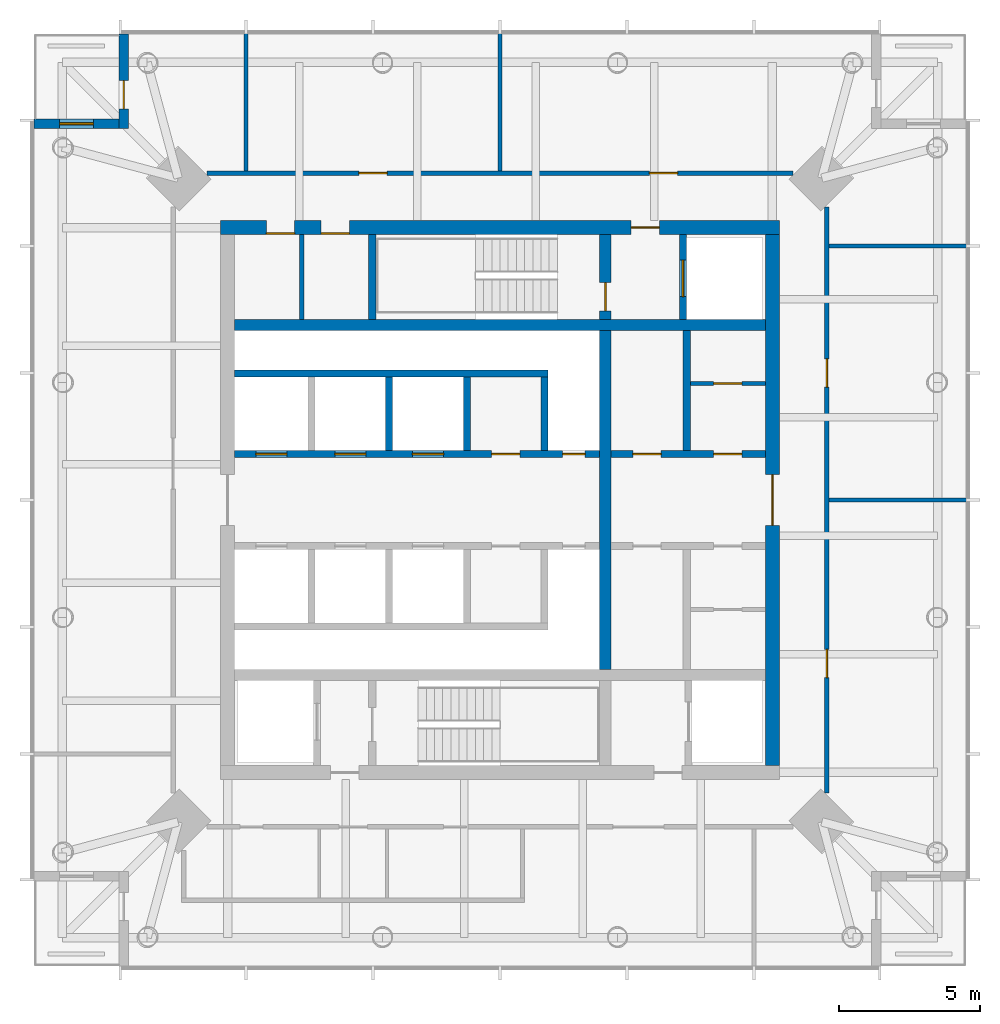
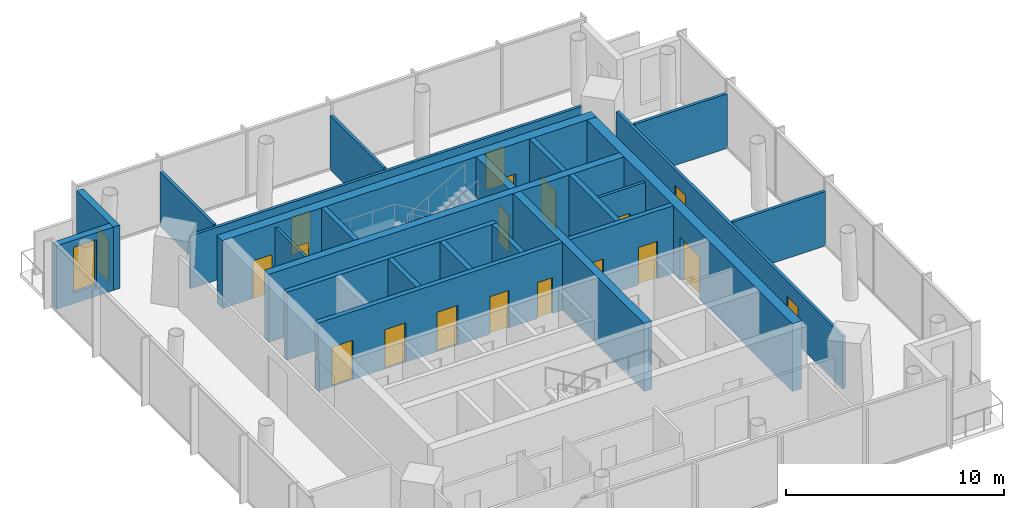
# One storey, part 5 of 7: 24 walls, 19 doors, 1 window, 20 openings.
"""IFC4 building model written with IfcOpenShell, lengths in metres."""

from ifc_helpers import new_model, si_unit, direction, frame, frame_2d, origin, place, context, subcontext, project, spatial, rectangle, extrude, material, layer, layer_set, type_object, element, fill, save


model = new_model("IFC4")

# Units and contexts
model_context = context("Model", 3, precision=1e-05, world=origin(), true_north=direction((0.0, 1.0)))
body_context = subcontext(model_context, "Body", "Model", "MODEL_VIEW")
ifc_project = project(units=[si_unit("LENGTHUNIT", "METRE"), si_unit("AREAUNIT", "SQUARE_METRE"), si_unit("VOLUMEUNIT", "CUBIC_METRE"), si_unit("PLANEANGLEUNIT", "RADIAN"), si_unit("MASSUNIT", "GRAM", prefix="KILO")], contexts=[model_context])

# Site, building, storey
site_placement = place(None, origin())
site = spatial("IfcSite", under=ifc_project, at=site_placement, CompositionType="ELEMENT")
building_placement = place(site_placement, origin())
building = spatial("IfcBuilding", under=site, at=building_placement, Name="Ostroluk Exchange", CompositionType="ELEMENT")
storey_placement = place(building_placement, frame((0.0, 0.0, 287.0)))
storey = spatial("IfcBuildingStorey", under=building, at=storey_placement, Name="L74", CompositionType="ELEMENT", Elevation=287.0)

# Wall
ifc_material_1 = material(Name="Concrete blockwork", Category="masonry")
ifc_layer_1 = layer(ifc_material_1, 0.14990234375)
ifc_layer_set_1 = layer_set([ifc_layer_1], Name="Blockwork plant room wall 150")
wall_type_1 = type_object("IfcWallType", Name="Blockwork plant room wall 150", PredefinedType="SOLIDWALL", material=ifc_layer_set_1)
wall_1_placement = place(storey_placement, frame((37.97509765625, 52.39990234375, 0.0), z_axis=(0.0, 0.0, 1.0), x_axis=(0.0, 1.0, 0.0)))
element("IfcWall", 1, at=wall_1_placement, inside=storey, type_object=wall_type_1, Name="Core room wall", PredefinedType="SOLIDWALL", context=body_context, shape_type="SweptSolid", body=[
    extrude(rectangle(XDim=3.0, YDim=0.14990234375, at=frame_2d((1.5, 0.0))), origin(), (0.0, 0.0, 1.0), 3.550048828125),
])

# Wall, opening, door
wall_2_placement = place(storey_placement, frame((51.739990234375, 50.1298828125, 0.0), z_axis=(0.0, 0.0, 1.0), x_axis=(1.0, 0.0, 0.0)))
wall_2 = element("IfcWall", 2, at=wall_2_placement, inside=storey, type_object=wall_type_1, Name="Core room wall", PredefinedType="SOLIDWALL", context=body_context, shape_type="SweptSolid", body=[
    extrude(rectangle(XDim=2.659912109375, YDim=0.14990234375, at=frame_2d((1.330078125, 0.0))), origin(), (0.0, 0.0, 1.0), 3.550048828125),
])
opening_1_placement = place(wall_2_placement, frame((0.830078125, 0.0, 0.0)))
opening_1 = element("IfcOpeningElement", 3, at=opening_1_placement, cuts=wall_2, Name="Opening FD60", PredefinedType="OPENING", context=body_context, shape_type="SweptSolid", body=[
    extrude(rectangle(XDim=1.0, YDim=2.10009765625, at=frame_2d((0.5, 1.050048828125))), frame((0.0, 0.0849609375, 0.0), z_axis=(0.0, -1.0, 0.0), x_axis=(1.0, 0.0, 0.0)), (0.0, 0.0, 1.0), 0.169921875),
])
ifc_material_2 = material(Name="Steel", Category="steel")
door_type_1 = type_object("IfcDoorType", Name="Fire door EI 60 1000 x 2100", OperationType="SINGLE_SWING_LEFT", PredefinedType="DOOR", material=ifc_material_2)
door_1_placement = place(opening_1_placement, origin())
door_1 = element("IfcDoor", 4, at=door_1_placement, inside=storey, type_object=door_type_1, Name="Store door", OperationType="SINGLE_SWING_RIGHT", OverallHeight=2.10009765625, OverallWidth=1.0, PredefinedType="DOOR", context=body_context, shape_type="SweptSolid", body=[
    extrude(rectangle(XDim=1.0, YDim=2.10009765625, at=frame_2d((0.5, 1.050048828125))), frame((0.0, 0.02490234375, 0.0), z_axis=(0.0, -1.0, 0.0), x_axis=(1.0, 0.0, 0.0)), (0.0, 0.0, 1.0), 0.050048828125),
])
fill(opening_1, door_1)

# Walls
ifc_material_3 = material(Name="Concrete C50/60", Category="concrete")
ifc_layer_2 = layer(ifc_material_3, 0.39990234375)
ifc_layer_set_2 = layer_set([ifc_layer_2], Name="Core cross wall 400 C50/60")
wall_type_2 = type_object("IfcWallType", Name="Core cross wall 400 C50/60", PredefinedType="SHEAR", material=ifc_layer_set_2)
wall_3_placement = place(storey_placement, frame((35.60009765625, 52.199951171875, 0.0), z_axis=(0.0, 0.0, 1.0), x_axis=(1.0, 0.0, 0.0)))
element("IfcWall", 5, at=wall_3_placement, inside=storey, type_object=wall_type_2, Name="T1 core wall XN", PredefinedType="SHEAR", context=body_context, shape_type="SweptSolid", body=[
    extrude(rectangle(XDim=18.7998046875, YDim=0.39990234375, at=frame_2d((9.39990234375, 0.0))), origin(), (0.0, 0.0, 1.0), 3.800048828125),
])
wall_4_placement = place(storey_placement, frame((48.72998046875, 40.0, 0.0), z_axis=(0.0, 0.0, 1.0), x_axis=(0.0, 1.0, 0.0)))
element("IfcWall", 6, at=wall_4_placement, inside=storey, type_object=wall_type_2, Name="T1 core wall YE2", PredefinedType="SHEAR", context=body_context, shape_type="SweptSolid", body=[
    extrude(rectangle(XDim=12.0, YDim=0.39990234375, at=frame_2d((6.0, 0.0))), origin(), (0.0, 0.0, 1.0), 3.800048828125),
])

# Wall, opening, door
wall_5_placement = place(storey_placement, frame((48.72998046875, 52.39990234375, 0.0), z_axis=(0.0, 0.0, 1.0), x_axis=(0.0, 1.0, 0.0)))
wall_5 = element("IfcWall", 7, at=wall_5_placement, inside=storey, type_object=wall_type_2, Name="T1 core wall YE3", PredefinedType="SHEAR", context=body_context, shape_type="SweptSolid", body=[
    extrude(rectangle(XDim=3.0, YDim=0.39990234375, at=frame_2d((1.5, 0.0))), origin(), (0.0, 0.0, 1.0), 3.800048828125),
])
opening_2_placement = place(wall_5_placement, frame((0.300048828125, 0.0, 0.0)))
opening_2 = element("IfcOpeningElement", 8, at=opening_2_placement, cuts=wall_5, Name="Opening FD60", PredefinedType="OPENING", context=body_context, shape_type="SweptSolid", body=[
    extrude(rectangle(XDim=1.0, YDim=2.10009765625, at=frame_2d((0.5, 1.050048828125))), frame((0.0, 0.2099609375, 0.0), z_axis=(0.0, -1.0, 0.0), x_axis=(1.0, 0.0, 0.0)), (0.0, 0.0, 1.0), 0.419921875),
])
door_2_placement = place(opening_2_placement, origin())
door_2 = element("IfcDoor", 9, at=door_2_placement, inside=storey, type_object=door_type_1, Name="Stair T1-S2 door", OperationType="SINGLE_SWING_LEFT", OverallHeight=2.10009765625, OverallWidth=1.0, PredefinedType="DOOR", context=body_context, shape_type="SweptSolid", body=[
    extrude(rectangle(XDim=1.0, YDim=2.10009765625, at=frame_2d((0.5, 1.050048828125))), frame((0.0, 0.02490234375, 0.0), z_axis=(0.0, -1.0, 0.0), x_axis=(1.0, 0.0, 0.0)), (0.0, 0.0, 1.0), 0.050048828125),
])
fill(opening_2, door_2)

# Wall
ifc_material_4 = material(Name="Concrete C40/50", Category="concrete")
ifc_layer_3 = layer(ifc_material_4, 0.25)
ifc_layer_set_3 = layer_set([ifc_layer_3], Name="Core shaft wall 250")
wall_type_3 = type_object("IfcWallType", Name="Core shaft wall 250", PredefinedType="SHEAR", material=ifc_layer_set_3)
wall_6_placement = place(storey_placement, frame((40.47509765625, 52.39990234375, 0.0), z_axis=(0.0, 0.0, 1.0), x_axis=(0.0, 1.0, 0.0)))
element("IfcWall", 10, at=wall_6_placement, inside=storey, type_object=wall_type_3, Name="Stair shaft wall", PredefinedType="SHEAR", context=body_context, shape_type="SweptSolid", body=[
    extrude(rectangle(XDim=3.0, YDim=0.25, at=frame_2d((1.5, 0.0))), origin(), (0.0, 0.0, 1.0), 3.800048828125),
])

# Wall, opening, door
wall_7_placement = place(storey_placement, frame((51.47509765625, 52.39990234375, 0.0), z_axis=(0.0, 0.0, 1.0), x_axis=(0.0, 1.0, 0.0)))
wall_7 = element("IfcWall", 11, at=wall_7_placement, inside=storey, type_object=wall_type_3, Name="Firefighting lift shaft wall", PredefinedType="SHEAR", context=body_context, shape_type="SweptSolid", body=[
    extrude(rectangle(XDim=3.0, YDim=0.25, at=frame_2d((1.5, 0.0))), origin(), (0.0, 0.0, 1.0), 3.800048828125),
])
opening_3_placement = place(wall_7_placement, frame((0.800048828125, 0.0, 0.0)))
opening_3 = element("IfcOpeningElement", 12, at=opening_3_placement, cuts=wall_7, Name="Opening LD2", PredefinedType="OPENING", context=body_context, shape_type="SweptSolid", body=[
    extrude(rectangle(XDim=1.300048828125, YDim=2.199951171875, at=frame_2d((0.64990234375, 1.10009765625))), frame((0.0, 0.135009765625, 0.0), z_axis=(0.0, -1.0, 0.0), x_axis=(1.0, 0.0, 0.0)), (0.0, 0.0, 1.0), 0.27001953125),
])
ifc_material_5 = material(Name="Stainless steel", Category="steel")
door_type_2 = type_object("IfcDoorType", Name="Lift landing door E 60 1300 x 2200", OperationType="DOUBLE_DOOR_SLIDING", PredefinedType="DOOR", material=ifc_material_5)
door_3_placement = place(opening_3_placement, origin())
door_3 = element("IfcDoor", 13, at=door_3_placement, inside=storey, type_object=door_type_2, Name="Lift FL2 landing door", OperationType="DOUBLE_DOOR_SLIDING", OverallHeight=2.199951171875, OverallWidth=1.300048828125, PredefinedType="DOOR", context=body_context, shape_type="SweptSolid", body=[
    extrude(rectangle(XDim=1.300048828125, YDim=2.199951171875, at=frame_2d((0.64990234375, 1.10009765625))), frame((0.0, 0.02490234375, 0.0), z_axis=(0.0, -1.0, 0.0), x_axis=(1.0, 0.0, 0.0)), (0.0, 0.0, 1.0), 0.050048828125),
])
fill(opening_3, door_3)

# Walls
for number, where, z_axis, x_axis, name in (
    (14, (41.074951171875, 47.75, 0.0), (0.0, 0.0, 1.0), (0.0, 1.0, 0.0), "Lift shaft wall"),
    (15, (43.824951171875, 47.75, 0.0), (0.0, 0.0, 1.0), (0.0, 1.0, 0.0), "Lift shaft wall"),
    (16, (46.574951171875, 47.75, 0.0), (0.0, 0.0, 1.0), (0.0, 1.0, 0.0), "Lift shaft wall"),
):
    element("IfcWall", number, at=place(storey_placement, frame(where, z_axis=z_axis, x_axis=x_axis)), inside=storey, type_object=wall_type_3, Name=name, PredefinedType="SHEAR", context=body_context, shape_type="SweptSolid", body=[
        extrude(rectangle(XDim=2.60009765625, YDim=0.25, at=frame_2d((1.300048828125, 0.0))), origin(), (0.0, 0.0, 1.0), 3.800048828125),
    ])
wall_8_placement = place(storey_placement, frame((35.60009765625, 50.47509765625, 0.0), z_axis=(0.0, 0.0, 1.0), x_axis=(1.0, 0.0, 0.0)))
element("IfcWall", 17, at=wall_8_placement, inside=storey, type_object=wall_type_3, Name="Lift shaft wall", PredefinedType="SHEAR", context=body_context, shape_type="SweptSolid", body=[
    extrude(rectangle(XDim=11.099853515625, YDim=0.25, at=frame_2d((5.5498046875, 0.0))), origin(), (0.0, 0.0, 1.0), 3.800048828125),
])

# Wall, openings, doors
wall_9_placement = place(storey_placement, frame((35.60009765625, 47.625, 0.0), z_axis=(0.0, 0.0, 1.0), x_axis=(1.0, 0.0, 0.0)))
wall_9 = element("IfcWall", 18, at=wall_9_placement, inside=storey, type_object=wall_type_3, Name="Lift shaft front wall", PredefinedType="SHEAR", context=body_context, shape_type="SweptSolid", body=[
    extrude(rectangle(XDim=12.929931640625, YDim=0.25, at=frame_2d((6.46484375, 0.0))), origin(), (0.0, 0.0, 1.0), 3.800048828125),
])
opening_4_placement = place(wall_9_placement, frame((0.75, 0.0, 0.0)))
opening_4 = element("IfcOpeningElement", 19, at=opening_4_placement, cuts=wall_9, Name="Opening LD", PredefinedType="OPENING", context=body_context, shape_type="SweptSolid", body=[
    extrude(rectangle(XDim=1.10009765625, YDim=2.199951171875, at=frame_2d((0.550048828125, 1.10009765625))), frame((0.0, 0.135009765625, 0.0), z_axis=(0.0, -1.0, 0.0), x_axis=(1.0, 0.0, 0.0)), (0.0, 0.0, 1.0), 0.27001953125),
])
opening_5_placement = place(wall_9_placement, frame((3.550048828125, 0.0, 0.0)))
opening_5 = element("IfcOpeningElement", 20, at=opening_5_placement, cuts=wall_9, Name="Opening LD", PredefinedType="OPENING", context=body_context, shape_type="SweptSolid", body=[
    extrude(rectangle(XDim=1.10009765625, YDim=2.199951171875, at=frame_2d((0.550048828125, 1.10009765625))), frame((0.0, 0.135009765625, 0.0), z_axis=(0.0, -1.0, 0.0), x_axis=(1.0, 0.0, 0.0)), (0.0, 0.0, 1.0), 0.27001953125),
])
opening_6_placement = place(wall_9_placement, frame((6.300048828125, 0.0, 0.0)))
opening_6 = element("IfcOpeningElement", 21, at=opening_6_placement, cuts=wall_9, Name="Opening LD", PredefinedType="OPENING", context=body_context, shape_type="SweptSolid", body=[
    extrude(rectangle(XDim=1.10009765625, YDim=2.199951171875, at=frame_2d((0.550048828125, 1.10009765625))), frame((0.0, 0.135009765625, 0.0), z_axis=(0.0, -1.0, 0.0), x_axis=(1.0, 0.0, 0.0)), (0.0, 0.0, 1.0), 0.27001953125),
])
opening_7_placement = place(wall_9_placement, frame((9.10009765625, 0.0, 0.0)))
opening_7 = element("IfcOpeningElement", 22, at=opening_7_placement, cuts=wall_9, Name="Opening FD60", PredefinedType="OPENING", context=body_context, shape_type="SweptSolid", body=[
    extrude(rectangle(XDim=1.0, YDim=2.10009765625, at=frame_2d((0.5, 1.050048828125))), frame((0.0, 0.135009765625, 0.0), z_axis=(0.0, -1.0, 0.0), x_axis=(1.0, 0.0, 0.0)), (0.0, 0.0, 1.0), 0.27001953125),
])
opening_8_placement = place(wall_9_placement, frame((11.614990234375, 0.0, 0.0)))
opening_8 = element("IfcOpeningElement", 23, at=opening_8_placement, cuts=wall_9, Name="Opening RD60", PredefinedType="OPENING", context=body_context, shape_type="SweptSolid", body=[
    extrude(rectangle(XDim=0.800048828125, YDim=2.0, at=frame_2d((0.39990234375, 1.0))), frame((0.0, 0.135009765625, 0.0), z_axis=(0.0, -1.0, 0.0), x_axis=(1.0, 0.0, 0.0)), (0.0, 0.0, 1.0), 0.27001953125),
])
door_4_placement = place(opening_7_placement, origin())
door_4 = element("IfcDoor", 24, at=door_4_placement, inside=storey, type_object=door_type_1, Name="Core room door", OperationType="SINGLE_SWING_RIGHT", OverallHeight=2.10009765625, OverallWidth=1.0, PredefinedType="DOOR", context=body_context, shape_type="SweptSolid", body=[
    extrude(rectangle(XDim=1.0, YDim=2.10009765625, at=frame_2d((0.5, 1.050048828125))), frame((0.0, 0.02490234375, 0.0), z_axis=(0.0, -1.0, 0.0), x_axis=(1.0, 0.0, 0.0)), (0.0, 0.0, 1.0), 0.050048828125),
])
fill(opening_7, door_4)
ifc_material_6 = material(Name="Stainless steel", Category="steel")
door_type_3 = type_object("IfcDoorType", Name="Lift landing door E 60 1100 x 2200", OperationType="DOUBLE_DOOR_SLIDING", PredefinedType="DOOR", material=ifc_material_6)
door_5_placement = place(opening_4_placement, origin())
door_5 = element("IfcDoor", 25, at=door_5_placement, inside=storey, type_object=door_type_3, Name="Lift PL-T1 landing door", OperationType="DOUBLE_DOOR_SLIDING", OverallHeight=2.199951171875, OverallWidth=1.10009765625, PredefinedType="DOOR", context=body_context, shape_type="SweptSolid", body=[
    extrude(rectangle(XDim=1.10009765625, YDim=2.199951171875, at=frame_2d((0.550048828125, 1.10009765625))), frame((0.0, 0.02490234375, 0.0), z_axis=(0.0, -1.0, 0.0), x_axis=(1.0, 0.0, 0.0)), (0.0, 0.0, 1.0), 0.050048828125),
])
fill(opening_4, door_5)
door_6_placement = place(opening_5_placement, origin())
door_6 = element("IfcDoor", 26, at=door_6_placement, inside=storey, type_object=door_type_3, Name="Lift PL-T2 landing door", OperationType="DOUBLE_DOOR_SLIDING", OverallHeight=2.199951171875, OverallWidth=1.10009765625, PredefinedType="DOOR", context=body_context, shape_type="SweptSolid", body=[
    extrude(rectangle(XDim=1.10009765625, YDim=2.199951171875, at=frame_2d((0.550048828125, 1.10009765625))), frame((0.0, 0.02490234375, 0.0), z_axis=(0.0, -1.0, 0.0), x_axis=(1.0, 0.0, 0.0)), (0.0, 0.0, 1.0), 0.050048828125),
])
fill(opening_5, door_6)
door_7_placement = place(opening_6_placement, origin())
door_7 = element("IfcDoor", 27, at=door_7_placement, inside=storey, type_object=door_type_3, Name="Lift PL-T3 landing door", OperationType="DOUBLE_DOOR_SLIDING", OverallHeight=2.199951171875, OverallWidth=1.10009765625, PredefinedType="DOOR", context=body_context, shape_type="SweptSolid", body=[
    extrude(rectangle(XDim=1.10009765625, YDim=2.199951171875, at=frame_2d((0.550048828125, 1.10009765625))), frame((0.0, 0.02490234375, 0.0), z_axis=(0.0, -1.0, 0.0), x_axis=(1.0, 0.0, 0.0)), (0.0, 0.0, 1.0), 0.050048828125),
])
fill(opening_6, door_7)
ifc_material_7 = material(Name="Steel", Category="steel")
door_type_4 = type_object("IfcDoorType", Name="Riser access door EI 60 800 x 2000", OperationType="SINGLE_SWING_LEFT", PredefinedType="DOOR", material=ifc_material_7)
door_8_placement = place(opening_8_placement, origin())
door_8 = element("IfcDoor", 28, at=door_8_placement, inside=storey, type_object=door_type_4, Name="Riser access door", OperationType="SINGLE_SWING_RIGHT", OverallHeight=2.0, OverallWidth=0.800048828125, PredefinedType="DOOR", context=body_context, shape_type="SweptSolid", body=[
    extrude(rectangle(XDim=0.800048828125, YDim=2.0, at=frame_2d((0.39990234375, 1.0))), frame((0.0, 0.02490234375, 0.0), z_axis=(0.0, -1.0, 0.0), x_axis=(1.0, 0.0, 0.0)), (0.0, 0.0, 1.0), 0.050048828125),
])
fill(opening_8, door_8)

# Wall
wall_10_placement = place(storey_placement, frame((51.614990234375, 47.75, 0.0), z_axis=(0.0, 0.0, 1.0), x_axis=(0.0, 1.0, 0.0)))
element("IfcWall", 29, at=wall_10_placement, inside=storey, type_object=wall_type_3, Name="Lift shaft wall", PredefinedType="SHEAR", context=body_context, shape_type="SweptSolid", body=[
    extrude(rectangle(XDim=4.25, YDim=0.25, at=frame_2d((2.125, 0.0))), origin(), (0.0, 0.0, 1.0), 3.800048828125),
])

# Wall, openings, doors
wall_11_placement = place(storey_placement, frame((48.929931640625, 47.625, 0.0), z_axis=(0.0, 0.0, 1.0), x_axis=(1.0, 0.0, 0.0)))
wall_11 = element("IfcWall", 30, at=wall_11_placement, inside=storey, type_object=wall_type_3, Name="Lift shaft front wall", PredefinedType="SHEAR", context=body_context, shape_type="SweptSolid", body=[
    extrude(rectangle(XDim=5.469970703125, YDim=0.25, at=frame_2d((2.73486328125, 0.0))), origin(), (0.0, 0.0, 1.0), 3.800048828125),
])
opening_9_placement = place(wall_11_placement, frame((0.780029296875, 0.0, 0.0)))
opening_9 = element("IfcOpeningElement", 31, at=opening_9_placement, cuts=wall_11, Name="Opening FD60", PredefinedType="OPENING", context=body_context, shape_type="SweptSolid", body=[
    extrude(rectangle(XDim=1.0, YDim=2.10009765625, at=frame_2d((0.5, 1.050048828125))), frame((0.0, 0.135009765625, 0.0), z_axis=(0.0, -1.0, 0.0), x_axis=(1.0, 0.0, 0.0)), (0.0, 0.0, 1.0), 0.27001953125),
])
opening_10_placement = place(wall_11_placement, frame((3.639892578125, 0.0, 0.0)))
opening_10 = element("IfcOpeningElement", 32, at=opening_10_placement, cuts=wall_11, Name="Opening FD60", PredefinedType="OPENING", context=body_context, shape_type="SweptSolid", body=[
    extrude(rectangle(XDim=1.0, YDim=2.10009765625, at=frame_2d((0.5, 1.050048828125))), frame((0.0, 0.135009765625, 0.0), z_axis=(0.0, -1.0, 0.0), x_axis=(1.0, 0.0, 0.0)), (0.0, 0.0, 1.0), 0.27001953125),
])
door_9_placement = place(opening_9_placement, origin())
door_9 = element("IfcDoor", 33, at=door_9_placement, inside=storey, type_object=door_type_1, Name="Core room door", OperationType="SINGLE_SWING_LEFT", OverallHeight=2.10009765625, OverallWidth=1.0, PredefinedType="DOOR", context=body_context, shape_type="SweptSolid", body=[
    extrude(rectangle(XDim=1.0, YDim=2.10009765625, at=frame_2d((0.5, 1.050048828125))), frame((0.0, 0.02490234375, 0.0), z_axis=(0.0, -1.0, 0.0), x_axis=(1.0, 0.0, 0.0)), (0.0, 0.0, 1.0), 0.050048828125),
])
fill(opening_9, door_9)
door_10_placement = place(opening_10_placement, origin())
door_10 = element("IfcDoor", 34, at=door_10_placement, inside=storey, type_object=door_type_1, Name="Core room door", OperationType="SINGLE_SWING_RIGHT", OverallHeight=2.10009765625, OverallWidth=1.0, PredefinedType="DOOR", context=body_context, shape_type="SweptSolid", body=[
    extrude(rectangle(XDim=1.0, YDim=2.10009765625, at=frame_2d((0.5, 1.050048828125))), frame((0.0, 0.02490234375, 0.0), z_axis=(0.0, -1.0, 0.0), x_axis=(1.0, 0.0, 0.0)), (0.0, 0.0, 1.0), 0.050048828125),
])
fill(opening_10, door_10)

ifc_material_8 = material(Name="Concrete C50/60", Category="concrete")
ifc_layer_4 = layer(ifc_material_8, 0.5)
ifc_layer_set_4 = layer_set([ifc_layer_4], Name="Core wall 500 C50/60")
wall_type_4 = type_object("IfcWallType", Name="Core wall 500 C50/60", PredefinedType="SHEAR", material=ifc_layer_set_4)
wall_12_placement = place(storey_placement, frame((35.10009765625, 55.64990234375, 0.0), z_axis=(0.0, 0.0, 1.0), x_axis=(1.0, 0.0, 0.0)))
wall_12 = element("IfcWall", 35, at=wall_12_placement, inside=storey, type_object=wall_type_4, Name="T1 core wall N", PredefinedType="SHEAR", context=body_context, shape_type="SweptSolid", body=[
    extrude(rectangle(XDim=19.7998046875, YDim=0.5, at=frame_2d((9.89990234375, 0.0))), origin(), (0.0, 0.0, 1.0), 3.800048828125),
])
opening_11_placement = place(wall_12_placement, frame((14.5400390625, 0.0, 0.0)))
opening_11 = element("IfcOpeningElement", 36, at=opening_11_placement, cuts=wall_12, Name="Opening FD60", PredefinedType="OPENING", context=body_context, shape_type="SweptSolid", body=[
    extrude(rectangle(XDim=1.0, YDim=2.10009765625, at=frame_2d((0.5, 1.050048828125))), frame((0.0, 0.260009765625, 0.0), z_axis=(0.0, -1.0, 0.0), x_axis=(1.0, 0.0, 0.0)), (0.0, 0.0, 1.0), 0.52001953125),
])
opening_12_placement = place(wall_12_placement, frame((1.625, 0.0, 0.0)))
opening_12 = element("IfcOpeningElement", 37, at=opening_12_placement, cuts=wall_12, Name="Opening FD60", PredefinedType="OPENING", context=body_context, shape_type="SweptSolid", body=[
    extrude(rectangle(XDim=1.0, YDim=2.10009765625, at=frame_2d((0.5, 1.050048828125))), frame((0.0, 0.260009765625, 0.0), z_axis=(0.0, -1.0, 0.0), x_axis=(1.0, 0.0, 0.0)), (0.0, 0.0, 1.0), 0.52001953125),
])
opening_13_placement = place(wall_12_placement, frame((3.5625, 0.0, 0.0)))
opening_13 = element("IfcOpeningElement", 38, at=opening_13_placement, cuts=wall_12, Name="Opening FD60", PredefinedType="OPENING", context=body_context, shape_type="SweptSolid", body=[
    extrude(rectangle(XDim=1.0, YDim=2.10009765625, at=frame_2d((0.5, 1.050048828125))), frame((0.0, 0.260009765625, 0.0), z_axis=(0.0, -1.0, 0.0), x_axis=(1.0, 0.0, 0.0)), (0.0, 0.0, 1.0), 0.52001953125),
])
door_11_placement = place(opening_11_placement, origin())
door_11 = element("IfcDoor", 39, at=door_11_placement, inside=storey, type_object=door_type_1, Name="Firefighting lobby door", OperationType="SINGLE_SWING_RIGHT", OverallHeight=2.10009765625, OverallWidth=1.0, PredefinedType="DOOR", context=body_context, shape_type="SweptSolid", body=[
    extrude(rectangle(XDim=1.0, YDim=2.10009765625, at=frame_2d((0.5, 1.050048828125))), frame((0.0, 0.02490234375, 0.0), z_axis=(0.0, -1.0, 0.0), x_axis=(1.0, 0.0, 0.0)), (0.0, 0.0, 1.0), 0.050048828125),
])
fill(opening_11, door_11)
door_12_placement = place(opening_12_placement, origin())
door_12 = element("IfcDoor", 40, at=door_12_placement, inside=storey, type_object=door_type_1, Name="First aid room door", OperationType="SINGLE_SWING_LEFT", OverallHeight=2.10009765625, OverallWidth=1.0, PredefinedType="DOOR", context=body_context, shape_type="SweptSolid", body=[
    extrude(rectangle(XDim=1.0, YDim=2.10009765625, at=frame_2d((0.5, 1.050048828125))), frame((0.0, -0.18994140625, 0.0), z_axis=(0.0, -1.0, 0.0), x_axis=(1.0, 0.0, 0.0)), (0.0, 0.0, 1.0), 0.050048828125),
])
fill(opening_12, door_12)
door_13_placement = place(opening_13_placement, origin())
door_13 = element("IfcDoor", 41, at=door_13_placement, inside=storey, type_object=door_type_1, Name="Tea point door", OperationType="SINGLE_SWING_LEFT", OverallHeight=2.10009765625, OverallWidth=1.0, PredefinedType="DOOR", context=body_context, shape_type="SweptSolid", body=[
    extrude(rectangle(XDim=1.0, YDim=2.10009765625, at=frame_2d((0.5, 1.050048828125))), frame((0.0, -0.18994140625, 0.0), z_axis=(0.0, -1.0, 0.0), x_axis=(1.0, 0.0, 0.0)), (0.0, 0.0, 1.0), 0.050048828125),
])
fill(opening_13, door_13)

# Wall, opening, door
wall_13_placement = place(storey_placement, frame((54.64990234375, 36.60009765625, 0.0), z_axis=(0.0, 0.0, 1.0), x_axis=(0.0, 1.0, 0.0)))
wall_13 = element("IfcWall", 42, at=wall_13_placement, inside=storey, type_object=wall_type_4, Name="T1 core wall E", PredefinedType="SHEAR", context=body_context, shape_type="SweptSolid", body=[
    extrude(rectangle(XDim=18.7998046875, YDim=0.5, at=frame_2d((9.39990234375, 0.0))), origin(), (0.0, 0.0, 1.0), 3.800048828125),
])
opening_14_placement = place(wall_13_placement, frame((8.5, 0.0, 0.0)))
opening_14 = element("IfcOpeningElement", 43, at=opening_14_placement, cuts=wall_13, Name="Opening FD30D", PredefinedType="OPENING", context=body_context, shape_type="SweptSolid", body=[
    extrude(rectangle(XDim=1.800048828125, YDim=2.39990234375, at=frame_2d((0.89990234375, 1.199951171875))), frame((0.0, 0.260009765625, 0.0), z_axis=(0.0, -1.0, 0.0), x_axis=(1.0, 0.0, 0.0)), (0.0, 0.0, 1.0), 0.52001953125),
])
ifc_material_9 = material(Name="Timber", Category="wood")
door_type_5 = type_object("IfcDoorType", Name="Lobby double door EI 30 1800 x 2400", OperationType="DOUBLE_DOOR_SINGLE_SWING", PredefinedType="DOOR", material=ifc_material_9)
door_14_placement = place(opening_14_placement, origin())
door_14 = element("IfcDoor", 44, at=door_14_placement, inside=storey, type_object=door_type_5, Name="Lift lobby doors", OperationType="DOUBLE_DOOR_SINGLE_SWING", OverallHeight=2.39990234375, OverallWidth=1.800048828125, PredefinedType="DOOR", context=body_context, shape_type="SweptSolid", body=[
    extrude(rectangle(XDim=1.800048828125, YDim=2.39990234375, at=frame_2d((0.89990234375, 1.199951171875))), frame((0.0, 0.02490234375, 0.0), z_axis=(0.0, -1.0, 0.0), x_axis=(1.0, 0.0, 0.0)), (0.0, 0.0, 1.0), 0.050048828125),
])
fill(opening_14, door_14)

ifc_material_10 = material(Name="Limestone", Category="masonry")
ifc_layer_5 = layer(ifc_material_10, 0.35009765625)
ifc_layer_set_5 = layer_set([ifc_layer_5], Name="Limestone facade wall 350")
wall_type_5 = type_object("IfcWallType", Name="Limestone facade wall 350", PredefinedType="SOLIDWALL", material=ifc_layer_set_5)
wall_14_placement = place(storey_placement, frame((31.675048828125, 62.5, 0.0), z_axis=(0.0, 0.0, 1.0), x_axis=(0.0, -1.0, 0.0)))
wall_14 = element("IfcWall", 45, at=wall_14_placement, inside=storey, type_object=wall_type_5, Name="Office tower NW corner wall L74 a", PredefinedType="SOLIDWALL", context=body_context, shape_type="SweptSolid", body=[
    extrude(rectangle(XDim=3.35009765625, YDim=0.35009765625, at=frame_2d((1.675048828125, 0.0))), origin(), (0.0, 0.0, 1.0), 3.550048828125),
])
opening_15_placement = place(wall_14_placement, frame((1.64990234375, 0.0, 0.0)))
opening_15 = element("IfcOpeningElement", 46, at=opening_15_placement, cuts=wall_14, Name="Opening D-B1", PredefinedType="OPENING", context=body_context, shape_type="SweptSolid", body=[
    extrude(rectangle(XDim=1.0, YDim=2.39990234375, at=frame_2d((0.5, 1.199951171875))), frame((0.0, 0.18505859375, 0.0), z_axis=(0.0, -1.0, 0.0), x_axis=(1.0, 0.0, 0.0)), (0.0, 0.0, 1.0), 0.3701171875),
])
ifc_material_11 = material(Name="Bronze framed glazed door", Category="aluminium")
door_type_6 = type_object("IfcDoorType", Name="Balcony door 1000 x 2400", OperationType="SINGLE_SWING_LEFT", PredefinedType="DOOR", material=ifc_material_11)
door_15_placement = place(opening_15_placement, origin())
door_15 = element("IfcDoor", 47, at=door_15_placement, inside=storey, type_object=door_type_6, Name="Office tower NW balcony door L74", OperationType="SINGLE_SWING_RIGHT", OverallHeight=2.39990234375, OverallWidth=1.0, PredefinedType="DOOR", context=body_context, shape_type="SweptSolid", body=[
    extrude(rectangle(XDim=1.0, YDim=2.39990234375, at=frame_2d((0.5, 1.199951171875))), frame((0.0, 0.02490234375, 0.0), z_axis=(0.0, -1.0, 0.0), x_axis=(1.0, 0.0, 0.0)), (0.0, 0.0, 1.0), 0.050048828125),
])
fill(opening_15, door_15)

# Wall, opening, window
wall_15_placement = place(storey_placement, frame((31.5, 59.324951171875, 0.0), z_axis=(0.0, 0.0, 1.0), x_axis=(-1.0, 0.0, 0.0)))
wall_15 = element("IfcWall", 48, at=wall_15_placement, inside=storey, type_object=wall_type_5, Name="Office tower NW corner wall L74 b", PredefinedType="SOLIDWALL", context=body_context, shape_type="SweptSolid", body=[
    extrude(rectangle(XDim=3.0, YDim=0.35009765625, at=frame_2d((1.5, 0.0))), origin(), (0.0, 0.0, 1.0), 3.550048828125),
])
opening_16_placement = place(wall_15_placement, frame((0.89990234375, 0.0, 0.60009765625)))
opening_16 = element("IfcOpeningElement", 49, at=opening_16_placement, cuts=wall_15, Name="Opening WN-L1", PredefinedType="OPENING", context=body_context, shape_type="SweptSolid", body=[
    extrude(rectangle(XDim=1.199951171875, YDim=2.550048828125, at=frame_2d((0.60009765625, 1.27490234375))), frame((0.0, 0.18505859375, 0.0), z_axis=(0.0, -1.0, 0.0), x_axis=(1.0, 0.0, 0.0)), (0.0, 0.0, 1.0), 0.3701171875),
])
ifc_material_12 = material(Name="Laminated clear glass", Category="glass")
window_type = type_object("IfcWindowType", Name="Lancet window 1200 x 2550", PartitioningType="SINGLE_PANEL", PredefinedType="WINDOW", material=ifc_material_12)
window_placement = place(opening_16_placement, origin())
window = element("IfcWindow", 50, at=window_placement, inside=storey, type_object=window_type, Name="Office tower NW lancet window L74", OverallHeight=2.550048828125, OverallWidth=1.199951171875, PartitioningType="SINGLE_PANEL", PredefinedType="WINDOW", context=body_context, shape_type="SweptSolid", body=[
    extrude(rectangle(XDim=1.199951171875, YDim=2.550048828125, at=frame_2d((0.60009765625, 1.27490234375))), frame((0.0, 0.030029296875, 0.0), z_axis=(0.0, -1.0, 0.0), x_axis=(1.0, 0.0, 0.0)), (0.0, 0.0, 1.0), 0.06005859375),
])
fill(opening_16, window)

# Wall
ifc_material_13 = material(Name="Gypsum plasterboard partition", Category="gypsum")
ifc_layer_6 = layer(ifc_material_13, 0.14990234375)
ifc_layer_set_6 = layer_set([ifc_layer_6], Name="Plasterboard partition 150")
wall_type_6 = type_object("IfcWallType", Name="Plasterboard partition 150", PredefinedType="PARTITIONING", material=ifc_layer_set_6)
wall_16_placement = place(storey_placement, frame((56.64990234375, 46.0, 0.0), z_axis=(0.0, 0.0, 1.0), x_axis=(1.0, 0.0, 0.0)))
element("IfcWall", 51, at=wall_16_placement, inside=storey, type_object=wall_type_6, Name="Partition", PredefinedType="PARTITIONING", context=body_context, shape_type="SweptSolid", body=[
    extrude(rectangle(XDim=4.89013671875, YDim=0.14990234375, at=frame_2d((2.445068359375, 0.0))), origin(), (0.0, 0.0, 1.0), 3.050048828125),
])

# Wall, openings, doors
wall_17_placement = place(storey_placement, frame((56.574951171875, 35.63134765625, 0.0), z_axis=(0.0, 0.0, 1.0), x_axis=(0.0, 1.0, 0.0)))
wall_17 = element("IfcWall", 52, at=wall_17_placement, inside=storey, type_object=wall_type_6, Name="Corridor wall", PredefinedType="PARTITIONING", context=body_context, shape_type="SweptSolid", body=[
    extrude(rectangle(XDim=20.7373046875, YDim=0.14990234375, at=frame_2d((10.36865234375, 0.0))), origin(), (0.0, 0.0, 1.0), 2.949951171875),
])
opening_17_placement = place(wall_17_placement, frame((4.0810546875, 0.0, 0.0)))
opening_17 = element("IfcOpeningElement", 53, at=opening_17_placement, cuts=wall_17, Name="Opening D-03", PredefinedType="OPENING", context=body_context, shape_type="SweptSolid", body=[
    extrude(rectangle(XDim=1.0, YDim=2.10009765625, at=frame_2d((0.5, 1.050048828125))), frame((0.0, 0.0849609375, 0.0), z_axis=(0.0, -1.0, 0.0), x_axis=(1.0, 0.0, 0.0)), (0.0, 0.0, 1.0), 0.169921875),
])
opening_18_placement = place(wall_17_placement, frame((14.36865234375, 0.0, 0.0)))
opening_18 = element("IfcOpeningElement", 54, at=opening_18_placement, cuts=wall_17, Name="Opening D-03", PredefinedType="OPENING", context=body_context, shape_type="SweptSolid", body=[
    extrude(rectangle(XDim=1.0, YDim=2.10009765625, at=frame_2d((0.5, 1.050048828125))), frame((0.0, 0.0849609375, 0.0), z_axis=(0.0, -1.0, 0.0), x_axis=(1.0, 0.0, 0.0)), (0.0, 0.0, 1.0), 0.169921875),
])
ifc_material_14 = material(Name="Timber", Category="wood")
door_type_7 = type_object("IfcDoorType", Name="Internal door 1000 x 2100", OperationType="SINGLE_SWING_LEFT", PredefinedType="DOOR", material=ifc_material_14)
door_16_placement = place(opening_17_placement, origin())
door_16 = element("IfcDoor", 55, at=door_16_placement, inside=storey, type_object=door_type_7, Name="Staff room door", OperationType="SINGLE_SWING_LEFT", OverallHeight=2.10009765625, OverallWidth=1.0, PredefinedType="DOOR", context=body_context, shape_type="SweptSolid", body=[
    extrude(rectangle(XDim=1.0, YDim=2.10009765625, at=frame_2d((0.5, 1.050048828125))), frame((0.0, 0.02490234375, 0.0), z_axis=(0.0, -1.0, 0.0), x_axis=(1.0, 0.0, 0.0)), (0.0, 0.0, 1.0), 0.050048828125),
])
fill(opening_17, door_16)
door_17_placement = place(opening_18_placement, origin())
door_17 = element("IfcDoor", 56, at=door_17_placement, inside=storey, type_object=door_type_7, Name="Office door", OperationType="SINGLE_SWING_RIGHT", OverallHeight=2.10009765625, OverallWidth=1.0, PredefinedType="DOOR", context=body_context, shape_type="SweptSolid", body=[
    extrude(rectangle(XDim=1.0, YDim=2.10009765625, at=frame_2d((0.5, 1.050048828125))), frame((0.0, 0.02490234375, 0.0), z_axis=(0.0, -1.0, 0.0), x_axis=(1.0, 0.0, 0.0)), (0.0, 0.0, 1.0), 0.050048828125),
])
fill(opening_18, door_17)

# Walls
for number, where, z_axis, x_axis, name in (
    (57, (56.64990234375, 55.0, 0.0), (0.0, 0.0, 1.0), (1.0, 0.0, 0.0), "Partition"),
    (58, (45.0, 57.64990234375, 0.0), (0.0, 0.0, 1.0), (0.0, 1.0, 0.0), "Partition"),
):
    element("IfcWall", number, at=place(storey_placement, frame(where, z_axis=z_axis, x_axis=x_axis)), inside=storey, type_object=wall_type_6, Name=name, PredefinedType="PARTITIONING", context=body_context, shape_type="SweptSolid", body=[
        extrude(rectangle(XDim=4.89013671875, YDim=0.14990234375, at=frame_2d((2.445068359375, 0.0))), origin(), (0.0, 0.0, 1.0), 3.050048828125),
    ])

# Wall, openings, doors
wall_18_placement = place(storey_placement, frame((55.36865234375, 57.574951171875, 0.0), z_axis=(0.0, 0.0, 1.0), x_axis=(-1.0, 0.0, 0.0)))
wall_18 = element("IfcWall", 59, at=wall_18_placement, inside=storey, type_object=wall_type_6, Name="Corridor wall", PredefinedType="PARTITIONING", context=body_context, shape_type="SweptSolid", body=[
    extrude(rectangle(XDim=20.7373046875, YDim=0.14990234375, at=frame_2d((10.36865234375, 0.0))), origin(), (0.0, 0.0, 1.0), 2.949951171875),
])
opening_19_placement = place(wall_18_placement, frame((4.0810546875, 0.0, 0.0)))
opening_19 = element("IfcOpeningElement", 60, at=opening_19_placement, cuts=wall_18, Name="Opening D-03", PredefinedType="OPENING", context=body_context, shape_type="SweptSolid", body=[
    extrude(rectangle(XDim=1.0, YDim=2.10009765625, at=frame_2d((0.5, 1.050048828125))), frame((0.0, 0.0849609375, 0.0), z_axis=(0.0, -1.0, 0.0), x_axis=(1.0, 0.0, 0.0)), (0.0, 0.0, 1.0), 0.169921875),
])
opening_20_placement = place(wall_18_placement, frame((14.36865234375, 0.0, 0.0)))
opening_20 = element("IfcOpeningElement", 61, at=opening_20_placement, cuts=wall_18, Name="Opening D-03", PredefinedType="OPENING", context=body_context, shape_type="SweptSolid", body=[
    extrude(rectangle(XDim=1.0, YDim=2.10009765625, at=frame_2d((0.5, 1.050048828125))), frame((0.0, 0.0849609375, 0.0), z_axis=(0.0, -1.0, 0.0), x_axis=(1.0, 0.0, 0.0)), (0.0, 0.0, 1.0), 0.169921875),
])
door_18_placement = place(opening_19_placement, origin())
door_18 = element("IfcDoor", 62, at=door_18_placement, inside=storey, type_object=door_type_7, Name="Ticket office door", OperationType="SINGLE_SWING_LEFT", OverallHeight=2.10009765625, OverallWidth=1.0, PredefinedType="DOOR", context=body_context, shape_type="SweptSolid", body=[
    extrude(rectangle(XDim=1.0, YDim=2.10009765625, at=frame_2d((0.5, 1.050048828125))), frame((0.0, 0.02490234375, 0.0), z_axis=(0.0, -1.0, 0.0), x_axis=(1.0, 0.0, 0.0)), (0.0, 0.0, 1.0), 0.050048828125),
])
fill(opening_19, door_18)
door_19_placement = place(opening_20_placement, origin())
door_19 = element("IfcDoor", 63, at=door_19_placement, inside=storey, type_object=door_type_7, Name="Store door", OperationType="SINGLE_SWING_RIGHT", OverallHeight=2.10009765625, OverallWidth=1.0, PredefinedType="DOOR", context=body_context, shape_type="SweptSolid", body=[
    extrude(rectangle(XDim=1.0, YDim=2.10009765625, at=frame_2d((0.5, 1.050048828125))), frame((0.0, 0.02490234375, 0.0), z_axis=(0.0, -1.0, 0.0), x_axis=(1.0, 0.0, 0.0)), (0.0, 0.0, 1.0), 0.050048828125),
])
fill(opening_20, door_19)

# Wall
wall_19_placement = place(storey_placement, frame((36.0, 57.64990234375, 0.0), z_axis=(0.0, 0.0, 1.0), x_axis=(0.0, 1.0, 0.0)))
element("IfcWall", 64, at=wall_19_placement, inside=storey, type_object=wall_type_6, Name="Partition", PredefinedType="PARTITIONING", context=body_context, shape_type="SweptSolid", body=[
    extrude(rectangle(XDim=4.89013671875, YDim=0.14990234375, at=frame_2d((2.445068359375, 0.0))), origin(), (0.0, 0.0, 1.0), 3.050048828125),
])

save(model, "model.ifc")
